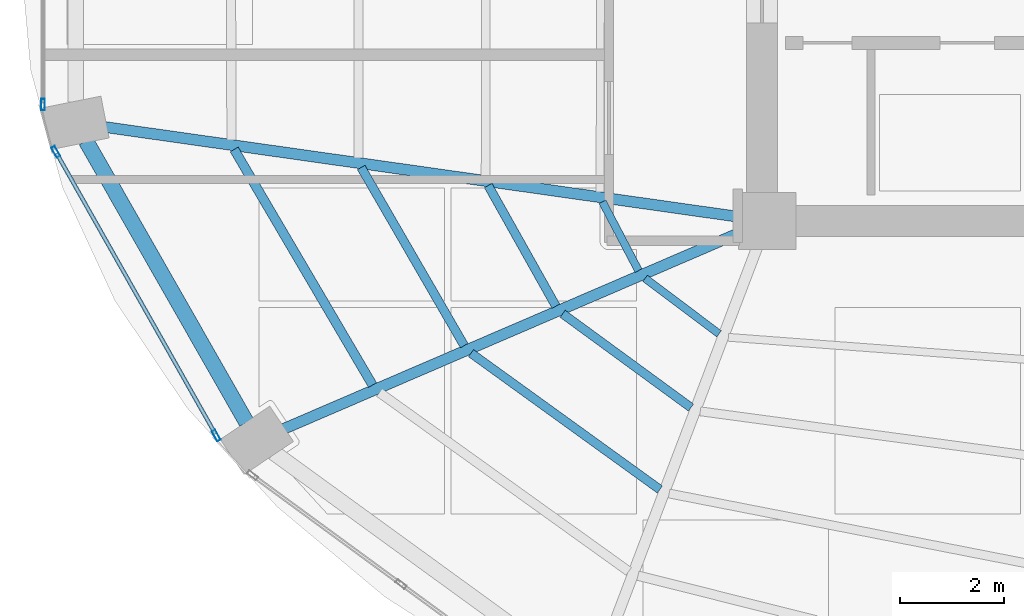
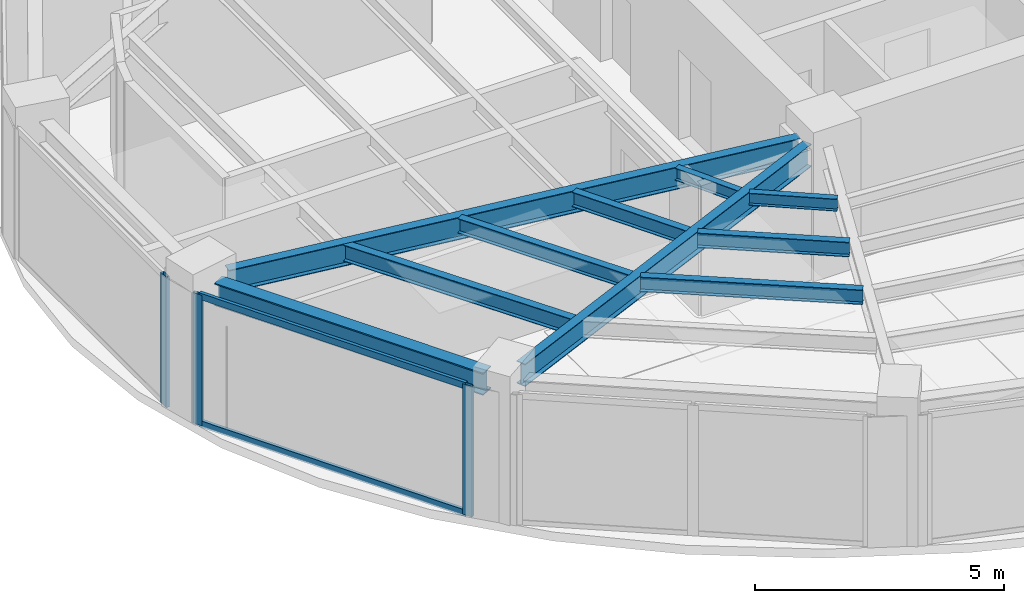
# One storey, part 3 of 20: 10 beams, 5 members, 2 elements without a shape of their own.
"""IFC4 building model written with IfcOpenShell, lengths in metres."""

from ifc_helpers import new_model, si_unit, direction, frame, origin, origin_2d, place, context, subcontext, project, spatial, hollow_rectangle, i_section, extrude, material, layer, layer_set, material_profile, profile_set, type_object, element, aggregate, save


model = new_model("IFC4")

# Units and contexts
model_context = context("Model", 3, precision=1e-05, world=origin(), true_north=direction((0.0, 1.0)))
body_context = subcontext(model_context, "Body", "Model", "MODEL_VIEW")
ifc_project = project(units=[si_unit("LENGTHUNIT", "METRE"), si_unit("AREAUNIT", "SQUARE_METRE"), si_unit("VOLUMEUNIT", "CUBIC_METRE"), si_unit("PLANEANGLEUNIT", "RADIAN"), si_unit("MASSUNIT", "GRAM", prefix="KILO")], contexts=[model_context])

# Site, building, storey
site_placement = place(None, origin())
site = spatial("IfcSite", under=ifc_project, at=site_placement, CompositionType="ELEMENT")
building_placement = place(site_placement, origin())
building = spatial("IfcBuilding", under=site, at=building_placement, Name="Lazwardi Medical Tower", CompositionType="ELEMENT")
storey_placement = place(building_placement, frame((0.0, 0.0, 185.7119140625)))
storey = spatial("IfcBuildingStorey", under=building, at=storey_placement, Name="L48", CompositionType="ELEMENT", Elevation=185.7119140625)

# Beams
ifc_material_1 = material(Name="Steel S355", Category="steel")
ifc_material_profile_1 = material_profile(ifc_material_1, i_section(OverallWidth=0.300048828125, OverallDepth=0.550048828125, WebThickness=0.014892578125, FlangeThickness=0.029052734375, at=origin_2d()), Name="HEB 550")
ifc_profile_set_1 = profile_set([ifc_material_profile_1], Name="Steel S355")
beam_type_1 = type_object("IfcBeamType", Name="BM-RB-Z3", PredefinedType="BEAM", material=ifc_profile_set_1)
beam_1_placement = place(storey_placement, frame((13.272216796875, 21.94091796875, 2.923095703125), z_axis=(0.495460926326, -0.868630226554, 0.0), x_axis=(0.868630226554, 0.495460926326, 0.0)))
element("IfcBeam", 1, at=beam_1_placement, inside=storey, type_object=beam_type_1, Name="Ring beam RB-04 B13 L48", PredefinedType="BEAM", context=body_context, shape_type="SweptSolid", body=[
    extrude(i_section(OverallWidth=0.300048828125, OverallDepth=0.550048828125, WebThickness=0.014892578125, FlangeThickness=0.029052734375, at=origin_2d()), origin(), (0.0, 0.0, 1.0), 6.24462890625),
])
ifc_material_profile_2 = material_profile(ifc_material_1, i_section(OverallWidth=0.2099609375, OverallDepth=0.550048828125, WebThickness=0.010986328125, FlangeThickness=0.01708984375, at=origin_2d()), Name="IPE 550")
ifc_profile_set_2 = profile_set([ifc_material_profile_2], Name="Steel S355")
beam_type_2 = type_object("IfcBeamType", Name="BM-RG-W2", PredefinedType="BEAM", material=ifc_profile_set_2)
beam_2_placement = place(storey_placement, frame((13.628662109375, 22.209716796875, 2.923095703125), z_axis=(0.99010958763, -0.140296131389, 0.0), x_axis=(0.140296131389, 0.99010958763, 0.0)))
element("IfcBeam", 2, at=beam_2_placement, inside=storey, type_object=beam_type_2, Name="Radial girder RG-03 R13 L48", PredefinedType="BEAM", context=body_context, shape_type="SweptSolid", body=[
    extrude(i_section(OverallWidth=0.2099609375, OverallDepth=0.550048828125, WebThickness=0.010986328125, FlangeThickness=0.01708984375, at=origin_2d()), origin(), (0.0, 0.0, 1.0), 12.364013671875),
])
beam_3_placement = place(storey_placement, frame((17.078857421875, 16.390380859375, 2.923095703125), z_axis=(0.918608156288, 0.395169653695, 0.0), x_axis=(-0.395169653695, 0.918608156288, 0.0)))
element("IfcBeam", 3, at=beam_3_placement, inside=storey, type_object=beam_type_2, Name="Radial girder RG-03 R14 L48", PredefinedType="BEAM", context=body_context, shape_type="SweptSolid", body=[
    extrude(i_section(OverallWidth=0.2099609375, OverallDepth=0.550048828125, WebThickness=0.010986328125, FlangeThickness=0.01708984375, at=origin_2d()), origin(), (0.0, 0.0, 1.0), 9.61181640625),
])
ifc_material_profile_3 = material_profile(ifc_material_1, i_section(OverallWidth=0.179931640625, OverallDepth=0.39990234375, WebThickness=0.008544921875, FlangeThickness=0.013427734375, at=origin_2d()), Name="IPE 400")
ifc_profile_set_3 = profile_set([ifc_material_profile_3], Name="Steel S355")
beam_type_3 = type_object("IfcBeamType", Name="BM-SJ-01", PredefinedType="JOIST", material=ifc_profile_set_3)
beam_4_placement = place(storey_placement, frame((16.127685546875, 21.776611328125, 2.998046875), z_axis=(0.506420212881, -0.862286824662, 0.0), x_axis=(0.862286824662, 0.506420212881, 0.0)))
element("IfcBeam", 4, at=beam_4_placement, inside=storey, type_object=beam_type_3, Name="Secondary joist SJ-01 R1 B13 L48", PredefinedType="JOIST", context=body_context, shape_type="SweptSolid", body=[
    extrude(i_section(OverallWidth=0.179931640625, OverallDepth=0.39990234375, WebThickness=0.008544921875, FlangeThickness=0.013427734375, at=origin_2d()), origin(), (0.0, 0.0, 1.0), 5.265380859375),
])
ifc_material_profile_4 = material_profile(ifc_material_1, i_section(OverallWidth=0.169921875, OverallDepth=0.360107421875, WebThickness=0.008056640625, FlangeThickness=0.0126953125, at=origin_2d()), Name="IPE 360")
ifc_profile_set_4 = profile_set([ifc_material_profile_4], Name="Steel S355")
beam_type_4 = type_object("IfcBeamType", Name="BM-SJ-02", PredefinedType="JOIST", material=ifc_profile_set_4)
beam_5_placement = place(storey_placement, frame((18.5751953125, 21.42919921875, 3.01806640625), z_axis=(0.500640648605, -0.865655209055, 0.0), x_axis=(0.865655209055, 0.500640648605, 0.0)))
element("IfcBeam", 5, at=beam_5_placement, inside=storey, type_object=beam_type_4, Name="Secondary joist SJ-02 R2 B13 L48", PredefinedType="JOIST", context=body_context, shape_type="SweptSolid", body=[
    extrude(i_section(OverallWidth=0.169921875, OverallDepth=0.360107421875, WebThickness=0.008056640625, FlangeThickness=0.0126953125, at=origin_2d()), origin(), (0.0, 0.0, 1.0), 3.965576171875),
])
beam_6_placement = place(storey_placement, frame((20.69189453125, 17.851318359375, 3.01806640625), z_axis=(0.810738039179, -0.585409114917, 0.0), x_axis=(0.585409114917, 0.810738039179, 0.0)))
element("IfcBeam", 6, at=beam_6_placement, inside=storey, type_object=beam_type_4, Name="Secondary joist SJ-02 R2 B14 L48", PredefinedType="JOIST", context=body_context, shape_type="SweptSolid", body=[
    extrude(i_section(OverallWidth=0.169921875, OverallDepth=0.360107421875, WebThickness=0.008056640625, FlangeThickness=0.0126953125, at=origin_2d()), origin(), (0.0, 0.0, 1.0), 4.48779296875),
])
beam_7_placement = place(storey_placement, frame((21.022705078125, 21.081787109375, 3.01806640625), z_axis=(0.489408945026, -0.872054404569, 0.0), x_axis=(0.872054404569, 0.489408945026, 0.0)))
element("IfcBeam", 7, at=beam_7_placement, inside=storey, type_object=beam_type_4, Name="Secondary joist SJ-02 R3 B13 L48", PredefinedType="JOIST", context=body_context, shape_type="SweptSolid", body=[
    extrude(i_section(OverallWidth=0.169921875, OverallDepth=0.360107421875, WebThickness=0.008056640625, FlangeThickness=0.0126953125, at=origin_2d()), origin(), (0.0, 0.0, 1.0), 2.666259765625),
])
beam_8_placement = place(storey_placement, frame((22.45751953125, 18.6103515625, 3.01806640625), z_axis=(0.807285959008, -0.590160470033, 0.0), x_axis=(0.590160470033, 0.807285959008, 0.0)))
element("IfcBeam", 8, at=beam_8_placement, inside=storey, type_object=beam_type_4, Name="Secondary joist SJ-02 R3 B14 L48", PredefinedType="JOIST", context=body_context, shape_type="SweptSolid", body=[
    extrude(i_section(OverallWidth=0.169921875, OverallDepth=0.360107421875, WebThickness=0.008056640625, FlangeThickness=0.0126953125, at=origin_2d()), origin(), (0.0, 0.0, 1.0), 3.06298828125),
])
ifc_material_profile_5 = material_profile(ifc_material_1, i_section(OverallWidth=0.14990234375, OverallDepth=0.300048828125, WebThickness=0.007080078125, FlangeThickness=0.0107421875, at=origin_2d()), Name="IPE 300")
ifc_profile_set_5 = profile_set([ifc_material_profile_5], Name="Steel S355")
beam_type_5 = type_object("IfcBeamType", Name="BM-SJ-03", PredefinedType="JOIST", material=ifc_profile_set_5)
beam_9_placement = place(storey_placement, frame((23.2236328125, 20.768310546875, 3.048095703125), z_axis=(0.464469748171, -0.885588986513, 0.0), x_axis=(0.885588986513, 0.464469748171, 0.0)))
element("IfcBeam", 9, at=beam_9_placement, inside=storey, type_object=beam_type_5, Name="Secondary joist SJ-03 R4 B13 L48", PredefinedType="JOIST", context=body_context, shape_type="SweptSolid", body=[
    extrude(i_section(OverallWidth=0.14990234375, OverallDepth=0.300048828125, WebThickness=0.007080078125, FlangeThickness=0.0107421875, at=origin_2d()), origin(), (0.0, 0.0, 1.0), 1.498046875),
])
beam_10_placement = place(storey_placement, frame((24.0458984375, 19.29296875, 3.048095703125), z_axis=(0.799884834751, -0.600153522972, 0.0), x_axis=(0.600153522972, 0.799884834751, 0.0)))
element("IfcBeam", 10, at=beam_10_placement, inside=storey, type_object=beam_type_5, Name="Secondary joist SJ-03 R4 B14 L48", PredefinedType="JOIST", context=body_context, shape_type="SweptSolid", body=[
    extrude(i_section(OverallWidth=0.14990234375, OverallDepth=0.300048828125, WebThickness=0.007080078125, FlangeThickness=0.0107421875, at=origin_2d()), origin(), (0.0, 0.0, 1.0), 1.781005859375),
])

# Curtain wall, member
ifc_material_2 = material(Name="Anodised bronze aluminium and solar control glazing", Category="aluminium")
ifc_layer = layer(ifc_material_2, 0.195068359375)
ifc_layer_set = layer_set([ifc_layer], Name="Anodised bronze aluminium and solar control glazing")
curtain_wall_type = type_object("IfcCurtainWallType", Name="CW-SYS-03", PredefinedType="NOTDEFINED", material=ifc_layer_set)
curtain_wall_1_placement = place(storey_placement, origin())
curtain_wall_1 = element("IfcCurtainWall", 11, at=curtain_wall_1_placement, inside=storey, type_object=curtain_wall_type, Name="L48 Unitised bronze curtain wall CW-03", PredefinedType="NOTDEFINED")
ifc_material_3 = material(Name="Anodised bronze aluminium", Category="aluminium")
ifc_material_profile_6 = material_profile(ifc_material_3, hollow_rectangle(XDim=0.074951171875, YDim=0.219970703125, WallThickness=0.00390625, at=origin_2d()), Name="ALU-MULLION 220x75x4")
ifc_profile_set_6 = profile_set([ifc_material_profile_6], Name="Anodised bronze aluminium")
member_type_1 = type_object("IfcMemberType", Name="CW-MUL-01", PredefinedType="MULLION", material=ifc_profile_set_6)
member_1_placement = place(storey_placement, frame((12.4423828125, 22.64208984375, 0.0), z_axis=(0.0, 0.0, 1.0), x_axis=(1.0, 0.0, 0.0)))
member_1 = element("IfcMember", 12, at=member_1_placement, type_object=member_type_1, Name="CW-03 mullion 2", PredefinedType="MULLION", context=body_context, shape_type="SweptSolid", body=[
    extrude(hollow_rectangle(XDim=0.074951171875, YDim=0.219970703125, WallThickness=0.00390625, at=origin_2d()), origin(), (0.0, 0.0, 1.0), 3.197998046875),
])
aggregate(curtain_wall_1, [member_1])

# Curtain wall, members
curtain_wall_2_placement = place(storey_placement, origin())
curtain_wall_2 = element("IfcCurtainWall", 13, at=curtain_wall_2_placement, inside=storey, type_object=curtain_wall_type, Name="L48 Unitised bronze curtain wall CW-03", PredefinedType="NOTDEFINED")
member_2_placement = place(storey_placement, frame((12.68896484375, 21.732666015625, 0.0), z_axis=(0.0, 0.0, 1.0), x_axis=(0.870418989303, 0.492311672683, 0.0)))
member_2 = element("IfcMember", 14, at=member_2_placement, type_object=member_type_1, Name="CW-03 mullion 1", PredefinedType="MULLION", context=body_context, shape_type="SweptSolid", body=[
    extrude(hollow_rectangle(XDim=0.074951171875, YDim=0.219970703125, WallThickness=0.00390625, at=origin_2d()), origin(), (0.0, 0.0, 1.0), 3.197998046875),
])
member_3_placement = place(storey_placement, frame((15.782470703125, 16.26318359375, 0.0), z_axis=(0.0, 0.0, 1.0), x_axis=(0.870418989303, 0.492311672683, 0.0)))
member_3 = element("IfcMember", 15, at=member_3_placement, type_object=member_type_1, Name="CW-03 mullion 2", PredefinedType="MULLION", context=body_context, shape_type="SweptSolid", body=[
    extrude(hollow_rectangle(XDim=0.074951171875, YDim=0.219970703125, WallThickness=0.00390625, at=origin_2d()), origin(), (0.0, 0.0, 1.0), 3.197998046875),
])
ifc_material_profile_7 = material_profile(ifc_material_3, hollow_rectangle(XDim=0.074951171875, YDim=0.159912109375, WallThickness=0.00390625, at=origin_2d()), Name="ALU-TRANSOM 160x75x4")
ifc_profile_set_7 = profile_set([ifc_material_profile_7], Name="Anodised bronze aluminium")
member_type_2 = type_object("IfcMemberType", Name="CW-TRN-01", PredefinedType="USERDEFINED", material=ifc_profile_set_7)
member_4_placement = place(storey_placement, frame((12.707275390625, 21.7001953125, 0.03759765625), z_axis=(0.492306010269, -0.870422191958, 0.0), x_axis=(0.870422191958, 0.492306010269, 0.0)))
member_4 = element("IfcMember", 16, at=member_4_placement, type_object=member_type_2, Name="CW-03 transom 1.1", ObjectType="TRANSOM", PredefinedType="USERDEFINED", context=body_context, shape_type="SweptSolid", body=[
    extrude(hollow_rectangle(XDim=0.074951171875, YDim=0.159912109375, WallThickness=0.00390625, at=origin_2d()), origin(), (0.0, 0.0, 1.0), 6.208740234375),
])
member_5_placement = place(storey_placement, frame((12.707275390625, 21.7001953125, 3.16064453125), z_axis=(0.492306010269, -0.870422191958, 0.0), x_axis=(0.870422191958, 0.492306010269, 0.0)))
member_5 = element("IfcMember", 17, at=member_5_placement, type_object=member_type_2, Name="CW-03 transom 1.2", ObjectType="TRANSOM", PredefinedType="USERDEFINED", context=body_context, shape_type="SweptSolid", body=[
    extrude(hollow_rectangle(XDim=0.074951171875, YDim=0.159912109375, WallThickness=0.00390625, at=origin_2d()), origin(), (0.0, 0.0, 1.0), 6.208740234375),
])
aggregate(curtain_wall_2, [member_2, member_3, member_4, member_5])

save(model, "model.ifc")
